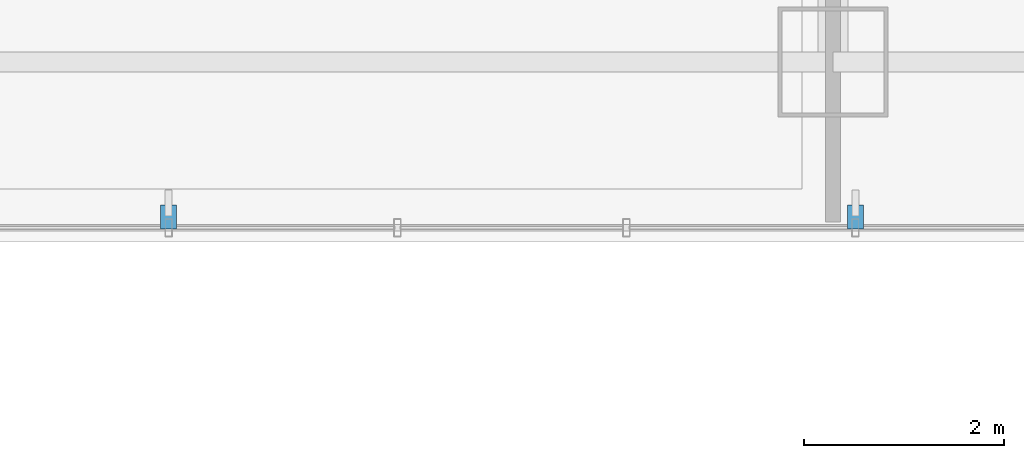
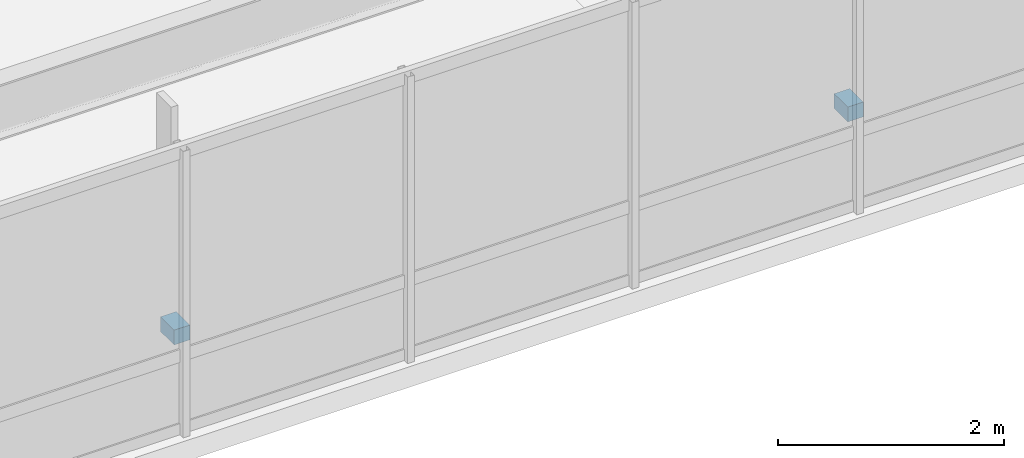
# One storey, part 33 of 39: 2 discrete accessories.
"""IFC4 building model written with IfcOpenShell, lengths in metres."""

from ifc_helpers import new_model, si_unit, direction, frame, origin, origin_2d, place, context, subcontext, project, spatial, rectangle, extrude, material, type_object, element, save


model = new_model("IFC4")

# Units and contexts
model_context = context("Model", 3, precision=1e-05, world=origin(), true_north=direction((0.0, 1.0)))
body_context = subcontext(model_context, "Body", "Model", "MODEL_VIEW")
ifc_project = project(units=[si_unit("LENGTHUNIT", "METRE"), si_unit("AREAUNIT", "SQUARE_METRE"), si_unit("VOLUMEUNIT", "CUBIC_METRE"), si_unit("PLANEANGLEUNIT", "RADIAN"), si_unit("MASSUNIT", "GRAM", prefix="KILO")], contexts=[model_context])

# Site, building, storey
site_placement = place(None, origin())
site = spatial("IfcSite", under=ifc_project, at=site_placement, CompositionType="ELEMENT")
building_placement = place(site_placement, origin())
building = spatial("IfcBuilding", under=site, at=building_placement, Name="Hatsunagi Terrace Concourse", CompositionType="ELEMENT")
storey_placement = place(building_placement, frame((0.0, 0.0, 66.75)))
storey = spatial("IfcBuildingStorey", under=building, at=storey_placement, Name="L17", CompositionType="ELEMENT", Elevation=66.75)

# Discrete accessories
ifc_material = material(Name="Stainless Steel SUS316 Bracket", Category="steel")
discrete_accessory_type = type_object("IfcDiscreteAccessoryType", Name="FacadeScreenSupportBracket_SS", PredefinedType="BRACKET", material=ifc_material)
for number, where, z_axis, x_axis, name in (
    (1, (11.625, 23.64990234375, 0.97021484375), (0.0, 0.0, 1.0), (-1.0, 0.0, 0.0), "Terracotta Screen Bracket BRK-01"),
    (2, (4.75, 23.64990234375, 0.97021484375), (0.0, 0.0, 1.0), (-1.0, 0.0, 0.0), "Terracotta Screen Bracket BRK-01"),
):
    element("IfcDiscreteAccessory", number, at=place(storey_placement, frame(where, z_axis=z_axis, x_axis=x_axis)), inside=storey, type_object=discrete_accessory_type, Name=name, PredefinedType="BRACKET", context=body_context, shape_type="SweptSolid", body=[
        extrude(rectangle(XDim=0.159912109375, YDim=0.239990234375, at=origin_2d()), origin(), (0.0, 0.0, 1.0), 0.159912109375),
    ])

save(model, "model.ifc")
